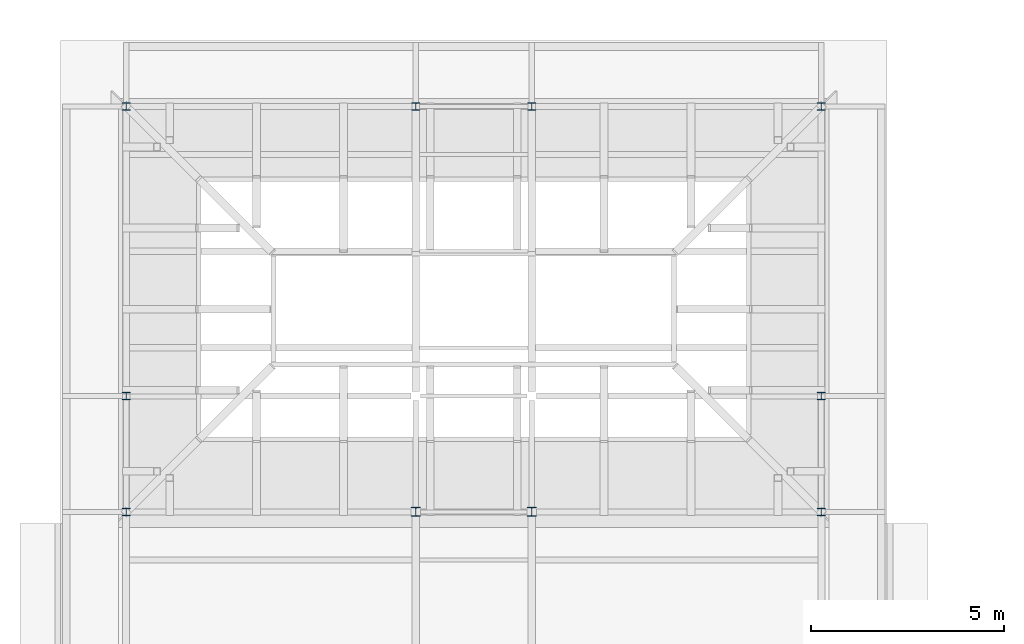
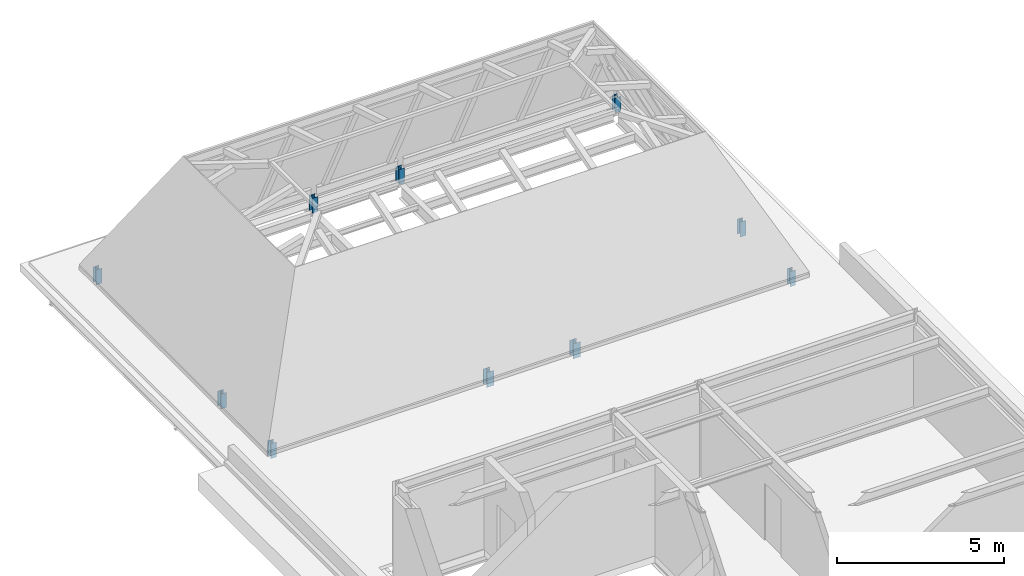
# One storey, part 4 of 29: 10 columns.
"""IFC4 building model written with IfcOpenShell, lengths in metres."""

import ifcopenshell
import ifcopenshell.guid

model = None  # the IFC model being written
_history = None  # IfcOwnerHistory: only IFC2X3 demands one
_inside = {}  # id of a spatial element -> (the spatial element, [elements in it])
_under = {}  # id of a project, library or spatial element -> (it, [spatial elements below it])
_declared = {}  # id of a project -> (the project, [libraries it declares])
_typed = {}  # id of a type object -> (the type object, [elements of that type])
_made_of = {}  # id of a material, layer set ... -> (it, [elements and type objects made of it])


def new_model(schema):
    """Start an empty IFC model of exactly this schema.

    Asked for "IFC4X3", IfcOpenShell would pick the latest addendum, in which some entities
    have other attributes; the version numbers below select the first issue.
    IFC2X3 requires an IfcOwnerHistory on every rooted entity: one is made here for all.
    """
    global model, _history
    if schema == "IFC4X3":
        model = ifcopenshell.file(schema_version=(4, 3, 0, 0))
    else:
        model = ifcopenshell.file(schema=schema)
    _inside.clear()
    _under.clear()
    _declared.clear()
    _typed.clear()
    _made_of.clear()
    _history = None
    if model.schema == "IFC2X3":
        org = make("IfcOrganization", Name="unknown")
        user = make(
            "IfcPersonAndOrganization",
            ThePerson=make("IfcPerson", FamilyName="unknown"),
            TheOrganization=org,
        )
        app = make(
            "IfcApplication",
            ApplicationDeveloper=org,
            Version="unknown",
            ApplicationFullName="unknown",
            ApplicationIdentifier="unknown",
        )
        _history = make(
            "IfcOwnerHistory",
            OwningUser=user,
            OwningApplication=app,
            ChangeAction="ADDED",
            CreationDate=0,
        )
    return model


def make(cls, **values):
    """One entity of the class cls with the attributes given. An attribute that is None is left unset."""
    return model.create_entity(
        cls, **{name: value for name, value in values.items() if value is not None}
    )


def rooted(cls, **values):
    """An entity with a GlobalId (a new one), such as an element, a storey or a relation."""
    return make(cls, GlobalId=ifcopenshell.guid.new(), OwnerHistory=_history, **values)


def si_unit(unit_type, name, prefix=None):
    """IfcSIUnit, for example si_unit("LENGTHUNIT", "METRE", prefix="MILLI")."""
    return make("IfcSIUnit", UnitType=unit_type, Prefix=prefix, Name=name)


def assignment(units):
    """IfcUnitAssignment: the units of a project."""
    return None if units is None else make("IfcUnitAssignment", Units=units)


def point(xyz):
    """IfcCartesianPoint."""
    return None if xyz is None else make("IfcCartesianPoint", Coordinates=xyz)


def direction(xyz):
    """IfcDirection."""
    return None if xyz is None else make("IfcDirection", DirectionRatios=xyz)


def frame(location, z_axis=None, x_axis=None):
    """IfcAxis2Placement3D, a coordinate frame: its origin and axes. An axis left out is left unset."""
    return make(
        "IfcAxis2Placement3D",
        Location=point(location),
        Axis=direction(z_axis),
        RefDirection=direction(x_axis),
    )


def frame_2d(location, x_axis=None):
    """IfcAxis2Placement2D, a coordinate frame in the plane: its origin and x axis."""
    return make(
        "IfcAxis2Placement2D", Location=point(location), RefDirection=direction(x_axis)
    )


def origin():
    """The frame at (0, 0, 0) with its axes left unset."""
    return frame((0.0, 0.0, 0.0))


def origin_2d():
    """The frame at (0, 0) in the plane with its x axis left unset."""
    return frame_2d((0.0, 0.0))


def place(relative_to, where):
    """IfcLocalPlacement: puts the frame where relative to a parent placement (None: the world)."""
    return make(
        "IfcLocalPlacement", PlacementRelTo=relative_to, RelativePlacement=where
    )


def context(
    kind, dimensions, precision=None, world=None, true_north=None, identifier=None
):
    """IfcGeometricRepresentationContext, for example the 3D "Model" context."""
    return make(
        "IfcGeometricRepresentationContext",
        ContextIdentifier=identifier,
        ContextType=kind,
        CoordinateSpaceDimension=dimensions,
        Precision=precision,
        WorldCoordinateSystem=world,
        TrueNorth=true_north,
    )


def subcontext(parent, identifier, kind, view, scale=None):
    """IfcGeometricRepresentationSubContext, for example "Body" below "Model"."""
    return make(
        "IfcGeometricRepresentationSubContext",
        ContextIdentifier=identifier,
        ContextType=kind,
        ParentContext=parent,
        TargetScale=scale,
        TargetView=view,
    )


def project(units=None, contexts=None):
    """IfcProject with its units and contexts."""
    return rooted(
        "IfcProject",
        Name="project",
        RepresentationContexts=contexts,
        UnitsInContext=assignment(units),
    )


def spatial(cls, under=None, at=None, **own):
    """A site, building, storey or space (cls), placed at a placement, below another one or the project."""
    s = rooted(cls, ObjectPlacement=at, **own)
    if under is not None:
        _under.setdefault(under.id(), (under, []))[1].append(s)
    return s


def profile(cls, at=None, kind="AREA", **sizes):
    """A parametric profile (cls). Its sizes go by their IFC names, for example OverallWidth=200.0."""
    return make(cls, ProfileType=kind, Position=at, **sizes)


def i_section(**sizes):
    """IfcIShapeProfileDef."""
    return profile("IfcIShapeProfileDef", **sizes)


def extrude(swept, where, along, depth):
    """IfcExtrudedAreaSolid: the profile swept, set in the frame where, extruded along a direction by depth."""
    return make(
        "IfcExtrudedAreaSolid",
        SweptArea=swept,
        Position=where,
        ExtrudedDirection=direction(along),
        Depth=depth,
    )


def shape(context_of_items, identifier, shape_type, items):
    """IfcShapeRepresentation: the items that make up one representation, for example the "Body"."""
    return make(
        "IfcShapeRepresentation",
        ContextOfItems=context_of_items,
        RepresentationIdentifier=identifier,
        RepresentationType=shape_type,
        Items=items,
    )


def material(Name=None, Category=None):
    """IfcMaterial."""
    return make("IfcMaterial", Name=Name, Category=Category)


def material_profile(
    of_material, cross_section, Name=None, Category=None, Priority=None
):
    """IfcMaterialProfile: a cross section and its material."""
    return make(
        "IfcMaterialProfile",
        Name=Name,
        Material=of_material,
        Profile=cross_section,
        Priority=Priority,
        Category=Category,
    )


def profile_set(profiles, Name=None, composite=None):
    """IfcMaterialProfileSet."""
    return make(
        "IfcMaterialProfileSet",
        Name=Name,
        MaterialProfiles=profiles,
        CompositeProfile=composite,
    )


def made_of(thing, what):
    """Note that an element or type object is made of a material, layer set ...; save() writes the relation."""
    if what is not None:
        _made_of.setdefault(what.id(), (what, []))[1].append(thing)
    return thing


def type_object(cls, material=None, **own):
    """A type object (cls), such as IfcWallType, which elements share."""
    return made_of(rooted(cls, **own), material)


def element(
    cls,
    number,
    at=None,
    inside=None,
    cuts=None,
    type_object=None,
    material=None,
    context=None,
    identifier="Body",
    shape_type=None,
    held_by="IfcProductDefinitionShape",
    body=None,
    shapes=None,
    **own,
):
    """One element of the class cls, such as IfcWall. Its Tag is "e" and its number.

    at: its placement. inside: the storey or other place that contains it. cuts: it is an
    opening in that element (IfcRelVoidsElement). A single representation is given by context,
    identifier, shape_type and body (its items); several are given by shapes. held_by: the class
    of the entity that holds the representations. save() writes the other relations.
    """
    e = rooted(cls, Tag="e%d" % number, ObjectPlacement=at, **own)
    if body is not None:
        shapes = [shape(context, identifier, shape_type, body)]
    if shapes is not None:
        e.Representation = make(held_by, Representations=shapes)
    if inside is not None:
        _inside.setdefault(inside.id(), (inside, []))[1].append(e)
    if cuts is not None:
        rooted(
            "IfcRelVoidsElement", RelatingBuildingElement=cuts, RelatedOpeningElement=e
        )
    if type_object is not None:
        _typed.setdefault(type_object.id(), (type_object, []))[1].append(e)
    return made_of(e, material)


def aggregate(whole, parts):
    """IfcRelAggregates: a whole, such as a stair, and the parts it consists of."""
    return rooted("IfcRelAggregates", RelatingObject=whole, RelatedObjects=parts)


def save(model, path):
    """Write the relations noted so far, then the file.

    IfcRelAggregates (storeys below a building ...), IfcRelContainedInSpatialStructure (elements
    in a storey), IfcRelDefinesByType, IfcRelAssociatesMaterial and IfcRelDeclares: one each for
    every whole, place, type object, material and project.
    """
    for whole, parts in _under.values():
        aggregate(whole, parts)
    for where, things in _inside.values():
        rooted(
            "IfcRelContainedInSpatialStructure",
            RelatedElements=things,
            RelatingStructure=where,
        )
    for kind, things in _typed.values():
        rooted("IfcRelDefinesByType", RelatedObjects=things, RelatingType=kind)
    for what, things in _made_of.values():
        rooted("IfcRelAssociatesMaterial", RelatedObjects=things, RelatingMaterial=what)
    for by, libraries in _declared.values():
        rooted("IfcRelDeclares", RelatingContext=by, RelatedDefinitions=libraries)
    model.write(path)


model = new_model("IFC4")

# Units and contexts
model_context = context("Model", 3, precision=1e-05, world=origin(), true_north=direction((0.0, 1.0)))
body_context = subcontext(model_context, "Body", "Model", "MODEL_VIEW")
ifc_project = project(units=[si_unit("LENGTHUNIT", "METRE"), si_unit("AREAUNIT", "SQUARE_METRE"), si_unit("VOLUMEUNIT", "CUBIC_METRE"), si_unit("PLANEANGLEUNIT", "RADIAN"), si_unit("MASSUNIT", "GRAM", prefix="KILO")], contexts=[model_context])

# Site, building, storey
site_placement = place(None, origin())
site = spatial("IfcSite", under=ifc_project, at=site_placement, CompositionType="ELEMENT")
building_placement = place(site_placement, origin())
building = spatial("IfcBuilding", under=site, at=building_placement, Name="Golden Quay Civic Hall", CompositionType="ELEMENT")
storey_placement = place(building_placement, frame((0.0, 0.0, 27.0)))
storey = spatial("IfcBuildingStorey", under=building, at=storey_placement, Name="L06", CompositionType="ELEMENT", Elevation=27.0)

# Columns
ifc_material_1 = material(Name="Steel S355", Category="steel")
ifc_material_profile_1 = material_profile(ifc_material_1, i_section(OverallWidth=0.199951171875, OverallDepth=0.18994140625, WebThickness=0.006591796875, FlangeThickness=0.010009765625, FilletRadius=0.01806640625, at=origin_2d()), Name="HEA 200")
ifc_profile_set_1 = profile_set([ifc_material_profile_1], Name="Steel S355")
column_type_1 = type_object("IfcColumnType", Name="Steel roof post HEA 200", PredefinedType="COLUMN", material=ifc_profile_set_1)
for number, where, z_axis, x_axis, name in (
    (1, (0.0, 70.5, -0.25), (0.0, 0.0, 1.0), (1.0, 0.0, 0.0), "Roof post 0/70.5"),
    (2, (0.0, 73.5, -0.25), (0.0, 0.0, 1.0), (1.0, 0.0, 0.0), "Roof post 0/73.5"),
    (3, (0.0, 81.0, -0.25), (0.0, 0.0, 1.0), (1.0, 0.0, 0.0), "Roof post 0/81"),
    (4, (7.5, 81.0, -0.25), (0.0, 0.0, 1.0), (1.0, 0.0, 0.0), "Roof post 7.5/81"),
    (5, (10.5, 81.0, -0.25), (0.0, 0.0, 1.0), (1.0, 0.0, 0.0), "Roof post 10.5/81"),
    (6, (18.0, 70.5, -0.25), (0.0, 0.0, 1.0), (1.0, 0.0, 0.0), "Roof post 18/70.5"),
    (7, (18.0, 73.5, -0.25), (0.0, 0.0, 1.0), (1.0, 0.0, 0.0), "Roof post 18/73.5"),
    (8, (18.0, 81.0, -0.25), (0.0, 0.0, 1.0), (1.0, 0.0, 0.0), "Roof post 18/81"),
):
    element("IfcColumn", number, at=place(storey_placement, frame(where, z_axis=z_axis, x_axis=x_axis)), inside=storey, type_object=column_type_1, Name=name, PredefinedType="COLUMN", context=body_context, shape_type="SweptSolid", body=[
        extrude(i_section(OverallWidth=0.199951171875, OverallDepth=0.18994140625, WebThickness=0.006591796875, FlangeThickness=0.010009765625, FilletRadius=0.01806640625, at=origin_2d()), origin(), (0.0, 0.0, 1.0), 0.550048828125),
    ])
ifc_material_2 = material(Name="Steel S355", Category="steel")
ifc_material_profile_2 = material_profile(ifc_material_2, i_section(OverallWidth=0.239990234375, OverallDepth=0.22998046875, WebThickness=0.007568359375, FlangeThickness=0.011962890625, FilletRadius=0.02099609375, at=origin_2d()), Name="HEA 240")
ifc_profile_set_2 = profile_set([ifc_material_profile_2], Name="Steel S355")
column_type_2 = type_object("IfcColumnType", Name="Steel roof post HEA 240", PredefinedType="COLUMN", material=ifc_profile_set_2)
for number, where, z_axis, x_axis, name in (
    (9, (7.5, 70.5, -0.25), (0.0, 0.0, 1.0), (1.0, 0.0, 0.0), "Roof post 7.5/70.5"),
    (10, (10.5, 70.5, -0.25), (0.0, 0.0, 1.0), (1.0, 0.0, 0.0), "Roof post 10.5/70.5"),
):
    element("IfcColumn", number, at=place(storey_placement, frame(where, z_axis=z_axis, x_axis=x_axis)), inside=storey, type_object=column_type_2, Name=name, PredefinedType="COLUMN", context=body_context, shape_type="SweptSolid", body=[
        extrude(i_section(OverallWidth=0.239990234375, OverallDepth=0.22998046875, WebThickness=0.007568359375, FlangeThickness=0.011962890625, FilletRadius=0.02099609375, at=origin_2d()), origin(), (0.0, 0.0, 1.0), 0.550048828125),
    ])

save(model, "model.ifc")
